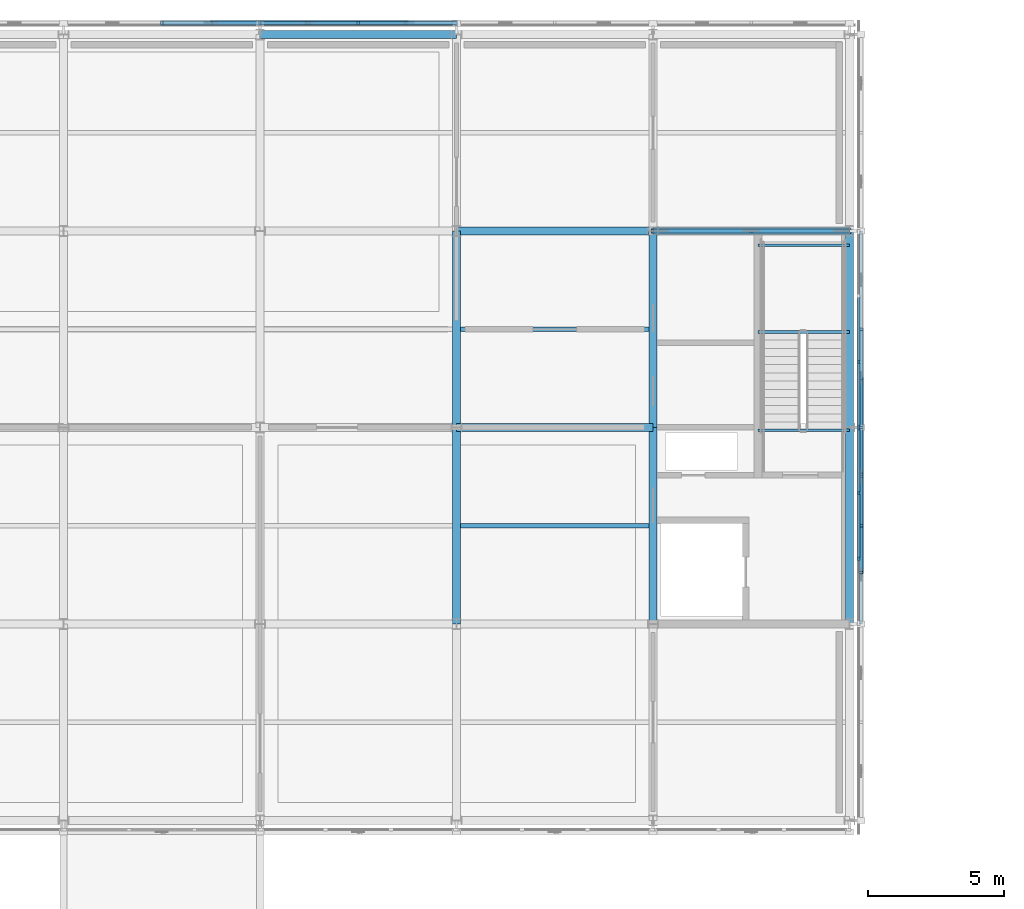
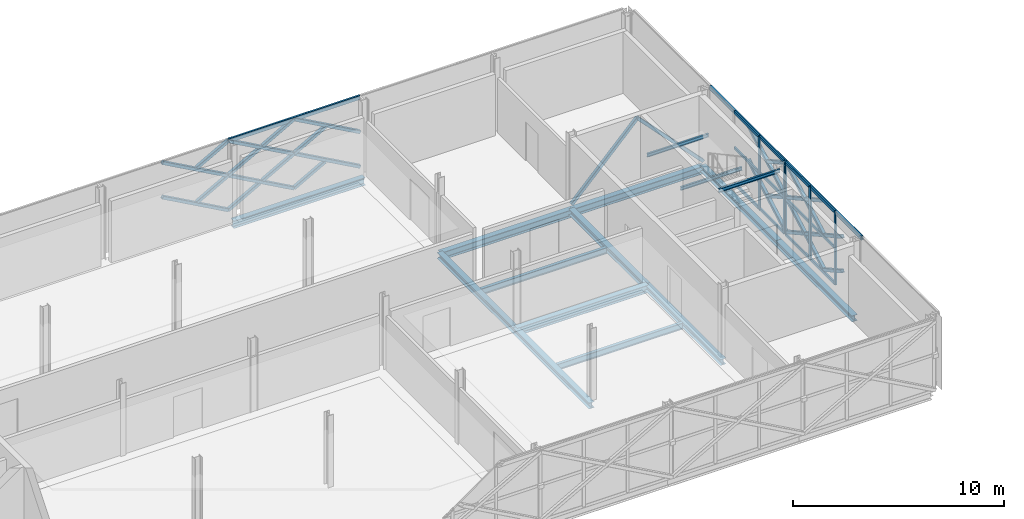
# One storey, part 54 of 126: 48 members, 15 beams, 2 elements without a shape of their own.
"""IFC4 building model written with IfcOpenShell, lengths in metres."""

from ifc_helpers import new_model, si_unit, direction, frame, origin, origin_2d, place, context, subcontext, project, spatial, rectangle, hollow_rectangle, i_section, extrude, material, material_profile, profile_set, type_object, element, aggregate, save


model = new_model("IFC4")

# Units and contexts
model_context = context("Model", 3, precision=1e-05, world=origin(), true_north=direction((0.0, 1.0)))
body_context = subcontext(model_context, "Body", "Model", "MODEL_VIEW")
ifc_project = project(units=[si_unit("LENGTHUNIT", "METRE"), si_unit("AREAUNIT", "SQUARE_METRE"), si_unit("VOLUMEUNIT", "CUBIC_METRE"), si_unit("PLANEANGLEUNIT", "RADIAN"), si_unit("MASSUNIT", "GRAM", prefix="KILO")], contexts=[model_context])

# Site, building, storey
site_placement = place(None, origin())
site = spatial("IfcSite", under=ifc_project, at=site_placement, CompositionType="ELEMENT")
building_placement = place(site_placement, origin())
building = spatial("IfcBuilding", under=site, at=building_placement, Name="Zlatovets Crest Museum", CompositionType="ELEMENT")
storey_placement = place(building_placement, frame((0.0, 0.0, 8.699951171875)))
storey = spatial("IfcBuildingStorey", under=building, at=storey_placement, Name="L02", CompositionType="ELEMENT", Elevation=8.699951171875)

# Beams
ifc_material_1 = material(Name="Structural steel S355J2", Category="steel")
ifc_material_profile_1 = material_profile(ifc_material_1, i_section(OverallWidth=0.300048828125, OverallDepth=0.35009765625, WebThickness=0.010009765625, FlangeThickness=0.017578125, FilletRadius=0.027099609375, at=origin_2d()), Name="HEA 360")
ifc_profile_set_1 = profile_set([ifc_material_profile_1], Name="Structural steel S355J2")
beam_type_1 = type_object("IfcBeamType", Name="Beam_B-03", PredefinedType="BEAM", material=ifc_profile_set_1)
for number, where, z_axis, x_axis, name in (
    (1, (93.60009765625, 93.60009765625, -0.39501953125), (0.0, 1.0, 0.0), (-1.0, 0.0, 0.0), "V1 L02 Grid Beam B-03"),
    (2, (93.60009765625, 100.800048828125, -0.39501953125), (0.0, 1.0, 0.0), (-1.0, 0.0, 0.0), "V1 L02 Grid Beam B-03"),
    (3, (100.800048828125, 93.60009765625, -0.39501953125), (0.0, 1.0, 0.0), (-1.0, 0.0, 0.0), "V1 L02 Grid Beam B-03"),
    (4, (100.800048828125, 100.800048828125, -0.39501953125), (0.0, 1.0, 0.0), (-1.0, 0.0, 0.0), "V1 L02 Grid Beam B-03"),
    (5, (108.0, 93.60009765625, -0.39501953125), (0.0, 1.0, 0.0), (-1.0, 0.0, 0.0), "V1 L02 Grid Beam B-03"),
    (6, (108.0, 100.800048828125, -0.39501953125), (0.0, 1.0, 0.0), (-1.0, 0.0, 0.0), "V1 L02 Grid Beam B-03"),
):
    element("IfcBeam", number, at=place(storey_placement, frame(where, z_axis=z_axis, x_axis=x_axis)), inside=storey, type_object=beam_type_1, Name=name, PredefinedType="BEAM", context=body_context, shape_type="SweptSolid", body=[
        extrude(i_section(OverallWidth=0.300048828125, OverallDepth=0.35009765625, WebThickness=0.010009765625, FlangeThickness=0.017578125, FilletRadius=0.027099609375, at=origin_2d()), origin(), (0.0, 0.0, 1.0), 7.199951171875),
    ])
ifc_material_profile_2 = material_profile(ifc_material_1, i_section(OverallWidth=0.300048828125, OverallDepth=0.43994140625, WebThickness=0.011474609375, FlangeThickness=0.02099609375, FilletRadius=0.027099609375, at=origin_2d()), Name="HEA 450")
ifc_profile_set_2 = profile_set([ifc_material_profile_2], Name="Structural steel S355J2")
beam_type_2 = type_object("IfcBeamType", Name="Beam_B-10", PredefinedType="BEAM", material=ifc_profile_set_2)
for number, where, z_axis, x_axis, name in (
    (7, (93.60009765625, 100.800048828125, -0.43994140625), (1.0, 0.0, 0.0), (0.0, 1.0, 0.0), "V1 L02 Primary Girder B-10"),
    (8, (93.60009765625, 108.0, -0.43994140625), (1.0, 0.0, 0.0), (0.0, 1.0, 0.0), "V1 L02 Primary Girder B-10"),
    (9, (100.800048828125, 108.0, -0.43994140625), (1.0, 0.0, 0.0), (0.0, 1.0, 0.0), "V1 L02 Primary Girder B-10"),
):
    element("IfcBeam", number, at=place(storey_placement, frame(where, z_axis=z_axis, x_axis=x_axis)), inside=storey, type_object=beam_type_2, Name=name, PredefinedType="BEAM", context=body_context, shape_type="SweptSolid", body=[
        extrude(i_section(OverallWidth=0.300048828125, OverallDepth=0.43994140625, WebThickness=0.011474609375, FlangeThickness=0.02099609375, FilletRadius=0.027099609375, at=origin_2d()), origin(), (0.0, 0.0, 1.0), 7.199951171875),
    ])
beam_placement = place(storey_placement, frame((86.39990234375, 115.199951171875, -0.43994140625), z_axis=(1.0, 0.0, 0.0), x_axis=(0.0, 1.0, 0.0)))
element("IfcBeam", 10, at=beam_placement, inside=storey, type_object=beam_type_2, Name="V1 L02 Primary Girder B-10", PredefinedType="BEAM", context=body_context, shape_type="SweptSolid", body=[
    extrude(i_section(OverallWidth=0.300048828125, OverallDepth=0.43994140625, WebThickness=0.011474609375, FlangeThickness=0.02099609375, FilletRadius=0.027099609375, at=origin_2d()), origin(), (0.0, 0.0, 1.0), 7.2001953125),
])
ifc_material_profile_3 = material_profile(ifc_material_1, i_section(OverallWidth=0.169921875, OverallDepth=0.360107421875, WebThickness=0.008056640625, FlangeThickness=0.0126953125, FilletRadius=0.01806640625, at=origin_2d()), Name="IPE 360")
ifc_profile_set_3 = profile_set([ifc_material_profile_3], Name="Structural steel S355J2")
beam_type_3 = type_object("IfcBeamType", Name="Beam_J-01", PredefinedType="JOIST", material=ifc_profile_set_3)
for number, where, z_axis, x_axis, name in (
    (11, (93.75, 97.199951171875, -0.39990234375), (1.0, 0.0, 0.0), (0.0, 1.0, 0.0), "V1 L02 Composite Joist J-01"),
    (12, (93.75, 104.39990234375, -0.39990234375), (1.0, 0.0, 0.0), (0.0, 1.0, 0.0), "V1 L02 Composite Joist J-01"),
):
    element("IfcBeam", number, at=place(storey_placement, frame(where, z_axis=z_axis, x_axis=x_axis)), inside=storey, type_object=beam_type_3, Name=name, PredefinedType="JOIST", context=body_context, shape_type="SweptSolid", body=[
        extrude(i_section(OverallWidth=0.169921875, OverallDepth=0.360107421875, WebThickness=0.008056640625, FlangeThickness=0.0126953125, FilletRadius=0.01806640625, at=origin_2d()), origin(), (0.0, 0.0, 1.0), 6.89990234375),
    ])
ifc_material_profile_4 = material_profile(ifc_material_1, i_section(OverallWidth=0.10009765625, OverallDepth=0.199951171875, WebThickness=0.005615234375, FlangeThickness=0.008544921875, FilletRadius=0.011962890625, at=origin_2d()), Name="IPE 200")
ifc_profile_set_4 = profile_set([ifc_material_profile_4], Name="Structural steel S355J2")
beam_type_4 = type_object("IfcBeamType", Name="Beam_PR-02", PredefinedType="LINTEL", material=ifc_profile_set_4)
for number, where, z_axis, x_axis, name in (
    (13, (104.64990234375, 100.699951171875, 3.860107421875), (1.0, 0.0, 0.0), (0.0, 1.0, 0.0), "Core C6 L02 Stair Well Header Beam"),
    (14, (104.64990234375, 104.300048828125, 1.800048828125), (1.0, 0.0, 0.0), (0.0, 1.0, 0.0), "Core C6 L02 Half-Landing Support Beam"),
    (15, (104.64990234375, 107.47998046875, 1.800048828125), (1.0, 0.0, 0.0), (0.0, 1.0, 0.0), "Core C6 L02 Half-Landing Support Beam"),
):
    element("IfcBeam", number, at=place(storey_placement, frame(where, z_axis=z_axis, x_axis=x_axis)), inside=storey, type_object=beam_type_4, Name=name, PredefinedType="LINTEL", context=body_context, shape_type="SweptSolid", body=[
        extrude(i_section(OverallWidth=0.10009765625, OverallDepth=0.199951171875, WebThickness=0.005615234375, FlangeThickness=0.008544921875, FilletRadius=0.011962890625, at=origin_2d()), origin(), (0.0, 0.0, 1.0), 3.35009765625),
    ])

# Curtain wall, members
ifc_material_2 = material(Name="Bronze-anodised aluminium and low-E triple glass", Category="aluminium")
curtain_wall_type_1 = type_object("IfcCurtainWallType", Name="CW_CW-V1-L02-M0", PredefinedType="NOTDEFINED", material=ifc_material_2)
curtain_wall_1_placement = place(storey_placement, origin())
curtain_wall_1 = element("IfcCurtainWall", 16, at=curtain_wall_1_placement, inside=storey, type_object=curtain_wall_type_1, Name="V1 L02 Expressed Core Glazed Facade", PredefinedType="NOTDEFINED")
ifc_material_3 = material(Name="Bronze-anodised aluminium EN AW-6060", Category="aluminium")
ifc_material_profile_5 = material_profile(ifc_material_3, rectangle(XDim=0.080078125, YDim=0.159912109375, at=origin_2d()), Name="ALU 80x160")
ifc_profile_set_5 = profile_set([ifc_material_profile_5], Name="Bronze-anodised aluminium EN AW-6060")
member_type_1 = type_object("IfcMemberType", Name="CWMull_M1", PredefinedType="MULLION", material=ifc_profile_set_5)
member_1_placement = place(storey_placement, frame((108.340087890625, 96.0, 0.0), z_axis=(0.0, 0.0, 1.0), x_axis=(-1.0, 0.0, 0.0)))
member_1 = element("IfcMember", 17, at=member_1_placement, type_object=member_type_1, Name="CW-V1-L02-M0 mullion 2", PredefinedType="MULLION", context=body_context, shape_type="SweptSolid", body=[
    extrude(rectangle(XDim=0.080078125, YDim=0.159912109375, at=origin_2d()), origin(), (0.0, 0.0, 1.0), 4.199951171875),
])
member_2_placement = place(storey_placement, frame((108.340087890625, 98.39990234375, 0.0), z_axis=(0.0, 0.0, 1.0), x_axis=(-1.0, 0.0, 0.0)))
member_2 = element("IfcMember", 18, at=member_2_placement, type_object=member_type_1, Name="CW-V1-L02-M0 mullion 3", PredefinedType="MULLION", context=body_context, shape_type="SweptSolid", body=[
    extrude(rectangle(XDim=0.080078125, YDim=0.159912109375, at=origin_2d()), origin(), (0.0, 0.0, 1.0), 4.199951171875),
])
member_3_placement = place(storey_placement, frame((108.340087890625, 100.77001953125, 0.0), z_axis=(0.0, 0.0, 1.0), x_axis=(-1.0, 0.0, 0.0)))
member_3 = element("IfcMember", 19, at=member_3_placement, type_object=member_type_1, Name="CW-V1-L02-M0 mullion 4", PredefinedType="MULLION", context=body_context, shape_type="SweptSolid", body=[
    extrude(rectangle(XDim=0.080078125, YDim=0.159912109375, at=origin_2d()), origin(), (0.0, 0.0, 1.0), 4.199951171875),
])

curtain_wall_type_2 = type_object("IfcCurtainWallType", Name="CW_CW-V1-L02-M1", PredefinedType="NOTDEFINED", material=ifc_material_2)
curtain_wall_2_placement = place(storey_placement, origin())
curtain_wall_2 = element("IfcCurtainWall", 20, at=curtain_wall_2_placement, inside=storey, type_object=curtain_wall_type_2, Name="V1 L02 Expressed Core Glazed Facade", PredefinedType="NOTDEFINED")
member_4_placement = place(storey_placement, frame((108.340087890625, 100.830078125, 0.0), z_axis=(0.0, 0.0, 1.0), x_axis=(-1.0, 0.0, 0.0)))
member_4 = element("IfcMember", 21, at=member_4_placement, type_object=member_type_1, Name="CW-V1-L02-M1 mullion 1", PredefinedType="MULLION", context=body_context, shape_type="SweptSolid", body=[
    extrude(rectangle(XDim=0.080078125, YDim=0.159912109375, at=origin_2d()), origin(), (0.0, 0.0, 1.0), 4.199951171875),
])
member_5_placement = place(storey_placement, frame((108.340087890625, 103.199951171875, 0.0), z_axis=(0.0, 0.0, 1.0), x_axis=(-1.0, 0.0, 0.0)))
member_5 = element("IfcMember", 22, at=member_5_placement, type_object=member_type_1, Name="CW-V1-L02-M1 mullion 2", PredefinedType="MULLION", context=body_context, shape_type="SweptSolid", body=[
    extrude(rectangle(XDim=0.080078125, YDim=0.159912109375, at=origin_2d()), origin(), (0.0, 0.0, 1.0), 4.199951171875),
])

# Member
ifc_material_profile_6 = material_profile(ifc_material_3, rectangle(XDim=0.080078125, YDim=0.159912109375, at=origin_2d()), Name="ALU 80x160")
ifc_profile_set_6 = profile_set([ifc_material_profile_6], Name="Bronze-anodised aluminium EN AW-6060")
member_type_2 = type_object("IfcMemberType", Name="CWTrans_T1", PredefinedType="USERDEFINED", material=ifc_profile_set_6)
member_6_placement = place(storey_placement, frame((108.340087890625, 96.030029296875, 0.030029296875), z_axis=(0.0, 1.0, 0.0), x_axis=(-1.0, 0.0, 0.0)))
member_6 = element("IfcMember", 23, at=member_6_placement, type_object=member_type_2, Name="CW-V1-L02-M0 transom 2.1", ObjectType="TRANSOM", PredefinedType="USERDEFINED", context=body_context, shape_type="SweptSolid", body=[
    extrude(rectangle(XDim=0.080078125, YDim=0.159912109375, at=origin_2d()), origin(), (0.0, 0.0, 1.0), 2.340087890625),
])

member_7_placement = place(storey_placement, frame((108.340087890625, 96.030029296875, 2.10009765625), z_axis=(0.0, 1.0, 0.0), x_axis=(-1.0, 0.0, 0.0)))
member_7 = element("IfcMember", 24, at=member_7_placement, type_object=member_type_2, Name="CW-V1-L02-M0 transom 2.2", ObjectType="TRANSOM", PredefinedType="USERDEFINED", context=body_context, shape_type="SweptSolid", body=[
    extrude(rectangle(XDim=0.080078125, YDim=0.159912109375, at=origin_2d()), origin(), (0.0, 0.0, 1.0), 2.340087890625),
])

member_8_placement = place(storey_placement, frame((108.340087890625, 96.030029296875, 4.170166015625), z_axis=(0.0, 1.0, 0.0), x_axis=(-1.0, 0.0, 0.0)))
member_8 = element("IfcMember", 25, at=member_8_placement, type_object=member_type_2, Name="CW-V1-L02-M0 transom 2.3", ObjectType="TRANSOM", PredefinedType="USERDEFINED", context=body_context, shape_type="SweptSolid", body=[
    extrude(rectangle(XDim=0.080078125, YDim=0.159912109375, at=origin_2d()), origin(), (0.0, 0.0, 1.0), 2.340087890625),
])

member_9_placement = place(storey_placement, frame((108.340087890625, 98.429931640625, 0.030029296875), z_axis=(0.0, 1.0, 0.0), x_axis=(-1.0, 0.0, 0.0)))
member_9 = element("IfcMember", 26, at=member_9_placement, type_object=member_type_2, Name="CW-V1-L02-M0 transom 3.1", ObjectType="TRANSOM", PredefinedType="USERDEFINED", context=body_context, shape_type="SweptSolid", body=[
    extrude(rectangle(XDim=0.080078125, YDim=0.159912109375, at=origin_2d()), origin(), (0.0, 0.0, 1.0), 2.31005859375),
])

member_10_placement = place(storey_placement, frame((108.340087890625, 98.429931640625, 2.10009765625), z_axis=(0.0, 1.0, 0.0), x_axis=(-1.0, 0.0, 0.0)))
member_10 = element("IfcMember", 27, at=member_10_placement, type_object=member_type_2, Name="CW-V1-L02-M0 transom 3.2", ObjectType="TRANSOM", PredefinedType="USERDEFINED", context=body_context, shape_type="SweptSolid", body=[
    extrude(rectangle(XDim=0.080078125, YDim=0.159912109375, at=origin_2d()), origin(), (0.0, 0.0, 1.0), 2.31005859375),
])

member_11_placement = place(storey_placement, frame((108.340087890625, 98.429931640625, 4.170166015625), z_axis=(0.0, 1.0, 0.0), x_axis=(-1.0, 0.0, 0.0)))
member_11 = element("IfcMember", 28, at=member_11_placement, type_object=member_type_2, Name="CW-V1-L02-M0 transom 3.3", ObjectType="TRANSOM", PredefinedType="USERDEFINED", context=body_context, shape_type="SweptSolid", body=[
    extrude(rectangle(XDim=0.080078125, YDim=0.159912109375, at=origin_2d()), origin(), (0.0, 0.0, 1.0), 2.31005859375),
])

aggregate(curtain_wall_1, [member_1, member_2, member_3, member_6, member_7, member_8, member_9, member_10, member_11])

member_12_placement = place(storey_placement, frame((108.340087890625, 100.860107421875, 0.030029296875), z_axis=(0.0, 1.0, 0.0), x_axis=(-1.0, 0.0, 0.0)))
member_12 = element("IfcMember", 29, at=member_12_placement, type_object=member_type_2, Name="CW-V1-L02-M1 transom 1.1", ObjectType="TRANSOM", PredefinedType="USERDEFINED", context=body_context, shape_type="SweptSolid", body=[
    extrude(rectangle(XDim=0.080078125, YDim=0.159912109375, at=origin_2d()), origin(), (0.0, 0.0, 1.0), 2.309814453125),
])

member_13_placement = place(storey_placement, frame((108.340087890625, 100.860107421875, 2.10009765625), z_axis=(0.0, 1.0, 0.0), x_axis=(-1.0, 0.0, 0.0)))
member_13 = element("IfcMember", 30, at=member_13_placement, type_object=member_type_2, Name="CW-V1-L02-M1 transom 1.2", ObjectType="TRANSOM", PredefinedType="USERDEFINED", context=body_context, shape_type="SweptSolid", body=[
    extrude(rectangle(XDim=0.080078125, YDim=0.159912109375, at=origin_2d()), origin(), (0.0, 0.0, 1.0), 2.309814453125),
])

member_14_placement = place(storey_placement, frame((108.340087890625, 100.860107421875, 4.170166015625), z_axis=(0.0, 1.0, 0.0), x_axis=(-1.0, 0.0, 0.0)))
member_14 = element("IfcMember", 31, at=member_14_placement, type_object=member_type_2, Name="CW-V1-L02-M1 transom 1.3", ObjectType="TRANSOM", PredefinedType="USERDEFINED", context=body_context, shape_type="SweptSolid", body=[
    extrude(rectangle(XDim=0.080078125, YDim=0.159912109375, at=origin_2d()), origin(), (0.0, 0.0, 1.0), 2.309814453125),
])

member_15_placement = place(storey_placement, frame((108.340087890625, 103.22998046875, 0.030029296875), z_axis=(0.0, 1.0, 0.0), x_axis=(-1.0, 0.0, 0.0)))
member_15 = element("IfcMember", 32, at=member_15_placement, type_object=member_type_2, Name="CW-V1-L02-M1 transom 2.1", ObjectType="TRANSOM", PredefinedType="USERDEFINED", context=body_context, shape_type="SweptSolid", body=[
    extrude(rectangle(XDim=0.080078125, YDim=0.159912109375, at=origin_2d()), origin(), (0.0, 0.0, 1.0), 2.340087890625),
])

member_16_placement = place(storey_placement, frame((108.340087890625, 103.22998046875, 2.10009765625), z_axis=(0.0, 1.0, 0.0), x_axis=(-1.0, 0.0, 0.0)))
member_16 = element("IfcMember", 33, at=member_16_placement, type_object=member_type_2, Name="CW-V1-L02-M1 transom 2.2", ObjectType="TRANSOM", PredefinedType="USERDEFINED", context=body_context, shape_type="SweptSolid", body=[
    extrude(rectangle(XDim=0.080078125, YDim=0.159912109375, at=origin_2d()), origin(), (0.0, 0.0, 1.0), 2.340087890625),
])

member_17_placement = place(storey_placement, frame((108.340087890625, 103.22998046875, 4.170166015625), z_axis=(0.0, 1.0, 0.0), x_axis=(-1.0, 0.0, 0.0)))
member_17 = element("IfcMember", 34, at=member_17_placement, type_object=member_type_2, Name="CW-V1-L02-M1 transom 2.3", ObjectType="TRANSOM", PredefinedType="USERDEFINED", context=body_context, shape_type="SweptSolid", body=[
    extrude(rectangle(XDim=0.080078125, YDim=0.159912109375, at=origin_2d()), origin(), (0.0, 0.0, 1.0), 2.340087890625),
])

aggregate(curtain_wall_2, [member_4, member_5, member_12, member_13, member_14, member_15, member_16, member_17])

# Members
ifc_material_4 = material(Name="Weathering bronze-steel S355J2W", Category="steel")
ifc_material_profile_7 = material_profile(ifc_material_4, hollow_rectangle(XDim=0.179931640625, YDim=0.179931640625, WallThickness=0.010009765625, InnerFilletRadius=0.010009765625, OuterFilletRadius=0.02001953125, at=origin_2d()), Name="SHS 180x180x10.0")
ifc_profile_set_7 = profile_set([ifc_material_profile_7], Name="Weathering bronze-steel S355J2W")
member_type_3 = type_object("IfcMemberType", Name="Lattice_XL-01", PredefinedType="BRACE", material=ifc_profile_set_7)
member_18_placement = place(storey_placement, frame((108.419921875, 95.48291015625, 1.053955078125), z_axis=(0.0, 0.874169001841, -0.485621824284), x_axis=(-1.0, 0.0, 0.0)))
element("IfcMember", 35, at=member_18_placement, inside=storey, type_object=member_type_3, Name="Split Crossing Bronze Lattice Diagonal Lower", PredefinedType="BRACE", context=body_context, shape_type="SweptSolid", body=[
    extrude(hollow_rectangle(XDim=0.179931640625, YDim=0.179931640625, WallThickness=0.010009765625, InnerFilletRadius=0.010009765625, OuterFilletRadius=0.02001953125, at=origin_2d()), origin(), (0.0, 0.0, 1.0), 1.964111328125),
])
member_19_placement = place(storey_placement, frame((108.419921875, 97.199951171875, 0.10009765625), z_axis=(0.0, 0.874162868644, 0.485632864501), x_axis=(-1.0, 0.0, 0.0)))
element("IfcMember", 36, at=member_19_placement, inside=storey, type_object=member_type_3, Name="Continuous Bronze Lattice Diagonal", PredefinedType="BRACE", context=body_context, shape_type="SweptSolid", body=[
    extrude(hollow_rectangle(XDim=0.179931640625, YDim=0.179931640625, WallThickness=0.010009765625, InnerFilletRadius=0.010009765625, OuterFilletRadius=0.02001953125, at=origin_2d()), origin(), (0.0, 0.0, 1.0), 4.118408203125),
])
for number, where, z_axis, x_axis, name in (
    (37, (108.419921875, 97.199951171875, 2.10009765625), (0.0, 0.874169001841, -0.485621824284), (-1.0, 0.0, 0.0), "Split Crossing Bronze Lattice Diagonal Upper"),
    (38, (108.419921875, 99.0830078125, 1.053955078125), (0.0, 0.874169001841, -0.485621824284), (-1.0, 0.0, 0.0), "Split Crossing Bronze Lattice Diagonal Lower"),
    (39, (108.419921875, 95.48291015625, 3.053955078125), (0.0, 0.874169001841, -0.485621824284), (-1.0, 0.0, 0.0), "Split Crossing Bronze Lattice Diagonal Lower"),
):
    element("IfcMember", number, at=place(storey_placement, frame(where, z_axis=z_axis, x_axis=x_axis)), inside=storey, type_object=member_type_3, Name=name, PredefinedType="BRACE", context=body_context, shape_type="SweptSolid", body=[
        extrude(hollow_rectangle(XDim=0.179931640625, YDim=0.179931640625, WallThickness=0.010009765625, InnerFilletRadius=0.010009765625, OuterFilletRadius=0.02001953125, at=origin_2d()), origin(), (0.0, 0.0, 1.0), 1.964111328125),
    ])
member_20_placement = place(storey_placement, frame((108.419921875, 97.199951171875, 2.10009765625), z_axis=(0.0, 0.874162868644, 0.485632864501), x_axis=(-1.0, 0.0, 0.0)))
element("IfcMember", 40, at=member_20_placement, inside=storey, type_object=member_type_3, Name="Continuous Bronze Lattice Diagonal", PredefinedType="BRACE", context=body_context, shape_type="SweptSolid", body=[
    extrude(hollow_rectangle(XDim=0.179931640625, YDim=0.179931640625, WallThickness=0.010009765625, InnerFilletRadius=0.010009765625, OuterFilletRadius=0.02001953125, at=origin_2d()), origin(), (0.0, 0.0, 1.0), 4.118408203125),
])
for number, where, z_axis, x_axis, name in (
    (41, (108.419921875, 97.199951171875, 4.10009765625), (0.0, 0.874169001841, -0.485621824284), (-1.0, 0.0, 0.0), "Split Crossing Bronze Lattice Diagonal Upper"),
    (42, (108.419921875, 99.0830078125, 3.053955078125), (0.0, 0.874169001841, -0.485621824284), (-1.0, 0.0, 0.0), "Split Crossing Bronze Lattice Diagonal Lower"),
):
    element("IfcMember", number, at=place(storey_placement, frame(where, z_axis=z_axis, x_axis=x_axis)), inside=storey, type_object=member_type_3, Name=name, PredefinedType="BRACE", context=body_context, shape_type="SweptSolid", body=[
        extrude(hollow_rectangle(XDim=0.179931640625, YDim=0.179931640625, WallThickness=0.010009765625, InnerFilletRadius=0.010009765625, OuterFilletRadius=0.02001953125, at=origin_2d()), origin(), (0.0, 0.0, 1.0), 1.964111328125),
    ])
member_21_placement = place(storey_placement, frame((108.419921875, 100.800048828125, 0.10009765625), z_axis=(0.0, 0.874148886685, 0.485658031857), x_axis=(-1.0, 0.0, 0.0)))
element("IfcMember", 43, at=member_21_placement, inside=storey, type_object=member_type_3, Name="Continuous Bronze Lattice Diagonal", PredefinedType="BRACE", context=body_context, shape_type="SweptSolid", body=[
    extrude(hollow_rectangle(XDim=0.179931640625, YDim=0.179931640625, WallThickness=0.010009765625, InnerFilletRadius=0.010009765625, OuterFilletRadius=0.02001953125, at=origin_2d()), origin(), (0.0, 0.0, 1.0), 4.1181640625),
])
member_22_placement = place(storey_placement, frame((108.419921875, 100.800048828125, 2.10009765625), z_axis=(0.0, 0.874169001841, -0.485621824284), x_axis=(-1.0, 0.0, 0.0)))
element("IfcMember", 44, at=member_22_placement, inside=storey, type_object=member_type_3, Name="Split Crossing Bronze Lattice Diagonal Upper", PredefinedType="BRACE", context=body_context, shape_type="SweptSolid", body=[
    extrude(hollow_rectangle(XDim=0.179931640625, YDim=0.179931640625, WallThickness=0.010009765625, InnerFilletRadius=0.010009765625, OuterFilletRadius=0.02001953125, at=origin_2d()), origin(), (0.0, 0.0, 1.0), 1.964111328125),
])
member_23_placement = place(storey_placement, frame((108.419921875, 100.800048828125, 2.10009765625), z_axis=(0.0, 0.874148886685, 0.485658031857), x_axis=(-1.0, 0.0, 0.0)))
element("IfcMember", 45, at=member_23_placement, inside=storey, type_object=member_type_3, Name="Continuous Bronze Lattice Diagonal", PredefinedType="BRACE", context=body_context, shape_type="SweptSolid", body=[
    extrude(hollow_rectangle(XDim=0.179931640625, YDim=0.179931640625, WallThickness=0.010009765625, InnerFilletRadius=0.010009765625, OuterFilletRadius=0.02001953125, at=origin_2d()), origin(), (0.0, 0.0, 1.0), 4.1181640625),
])
member_24_placement = place(storey_placement, frame((108.419921875, 100.800048828125, 4.10009765625), z_axis=(0.0, 0.874169001841, -0.485621824284), x_axis=(-1.0, 0.0, 0.0)))
element("IfcMember", 46, at=member_24_placement, inside=storey, type_object=member_type_3, Name="Split Crossing Bronze Lattice Diagonal Upper", PredefinedType="BRACE", context=body_context, shape_type="SweptSolid", body=[
    extrude(hollow_rectangle(XDim=0.179931640625, YDim=0.179931640625, WallThickness=0.010009765625, InnerFilletRadius=0.010009765625, OuterFilletRadius=0.02001953125, at=origin_2d()), origin(), (0.0, 0.0, 1.0), 1.964111328125),
])
member_25_placement = place(storey_placement, frame((93.60009765625, 115.6201171875, 0.10009765625), z_axis=(-0.874162868644, 0.0, 0.485632864501), x_axis=(0.0, -1.0, 0.0)))
element("IfcMember", 47, at=member_25_placement, inside=storey, type_object=member_type_3, Name="Continuous Bronze Lattice Diagonal", PredefinedType="BRACE", context=body_context, shape_type="SweptSolid", body=[
    extrude(hollow_rectangle(XDim=0.179931640625, YDim=0.179931640625, WallThickness=0.010009765625, InnerFilletRadius=0.010009765625, OuterFilletRadius=0.02001953125, at=origin_2d()), origin(), (0.0, 0.0, 1.0), 4.118408203125),
])
member_26_placement = place(storey_placement, frame((91.717041015625, 115.6201171875, 1.053955078125), z_axis=(-0.874169001841, 0.0, -0.485621824284), x_axis=(0.0, -1.0, 0.0)))
element("IfcMember", 48, at=member_26_placement, inside=storey, type_object=member_type_3, Name="Split Crossing Bronze Lattice Diagonal Lower", PredefinedType="BRACE", context=body_context, shape_type="SweptSolid", body=[
    extrude(hollow_rectangle(XDim=0.179931640625, YDim=0.179931640625, WallThickness=0.010009765625, InnerFilletRadius=0.010009765625, OuterFilletRadius=0.02001953125, at=origin_2d()), origin(), (0.0, 0.0, 1.0), 1.964111328125),
])
member_27_placement = place(storey_placement, frame((90.0, 115.6201171875, 0.10009765625), z_axis=(-0.874162868644, 0.0, 0.485632864501), x_axis=(0.0, -1.0, 0.0)))
element("IfcMember", 49, at=member_27_placement, inside=storey, type_object=member_type_3, Name="Continuous Bronze Lattice Diagonal", PredefinedType="BRACE", context=body_context, shape_type="SweptSolid", body=[
    extrude(hollow_rectangle(XDim=0.179931640625, YDim=0.179931640625, WallThickness=0.010009765625, InnerFilletRadius=0.010009765625, OuterFilletRadius=0.02001953125, at=origin_2d()), origin(), (0.0, 0.0, 1.0), 4.118408203125),
])
for number, where, z_axis, x_axis, name in (
    (50, (90.0, 115.6201171875, 2.10009765625), (-0.874169001841, 0.0, -0.485621824284), (0.0, -1.0, 0.0), "Split Crossing Bronze Lattice Diagonal Upper"),
    (51, (88.116943359375, 115.6201171875, 1.053955078125), (-0.874169001841, 0.0, -0.485621824284), (0.0, -1.0, 0.0), "Split Crossing Bronze Lattice Diagonal Lower"),
):
    element("IfcMember", number, at=place(storey_placement, frame(where, z_axis=z_axis, x_axis=x_axis)), inside=storey, type_object=member_type_3, Name=name, PredefinedType="BRACE", context=body_context, shape_type="SweptSolid", body=[
        extrude(hollow_rectangle(XDim=0.179931640625, YDim=0.179931640625, WallThickness=0.010009765625, InnerFilletRadius=0.010009765625, OuterFilletRadius=0.02001953125, at=origin_2d()), origin(), (0.0, 0.0, 1.0), 1.964111328125),
    ])
member_28_placement = place(storey_placement, frame((93.60009765625, 115.6201171875, 2.10009765625), z_axis=(-0.874162868644, 0.0, 0.485632864501), x_axis=(0.0, -1.0, 0.0)))
element("IfcMember", 52, at=member_28_placement, inside=storey, type_object=member_type_3, Name="Continuous Bronze Lattice Diagonal", PredefinedType="BRACE", context=body_context, shape_type="SweptSolid", body=[
    extrude(hollow_rectangle(XDim=0.179931640625, YDim=0.179931640625, WallThickness=0.010009765625, InnerFilletRadius=0.010009765625, OuterFilletRadius=0.02001953125, at=origin_2d()), origin(), (0.0, 0.0, 1.0), 4.118408203125),
])
member_29_placement = place(storey_placement, frame((91.717041015625, 115.6201171875, 3.053955078125), z_axis=(-0.874169001841, 0.0, -0.485621824284), x_axis=(0.0, -1.0, 0.0)))
element("IfcMember", 53, at=member_29_placement, inside=storey, type_object=member_type_3, Name="Split Crossing Bronze Lattice Diagonal Lower", PredefinedType="BRACE", context=body_context, shape_type="SweptSolid", body=[
    extrude(hollow_rectangle(XDim=0.179931640625, YDim=0.179931640625, WallThickness=0.010009765625, InnerFilletRadius=0.010009765625, OuterFilletRadius=0.02001953125, at=origin_2d()), origin(), (0.0, 0.0, 1.0), 1.964111328125),
])
member_30_placement = place(storey_placement, frame((90.0, 115.6201171875, 2.10009765625), z_axis=(-0.874162868644, 0.0, 0.485632864501), x_axis=(0.0, -1.0, 0.0)))
element("IfcMember", 54, at=member_30_placement, inside=storey, type_object=member_type_3, Name="Continuous Bronze Lattice Diagonal", PredefinedType="BRACE", context=body_context, shape_type="SweptSolid", body=[
    extrude(hollow_rectangle(XDim=0.179931640625, YDim=0.179931640625, WallThickness=0.010009765625, InnerFilletRadius=0.010009765625, OuterFilletRadius=0.02001953125, at=origin_2d()), origin(), (0.0, 0.0, 1.0), 4.118408203125),
])
for number, where, z_axis, x_axis, name in (
    (55, (90.0, 115.6201171875, 4.10009765625), (-0.874169001841, 0.0, -0.485621824284), (0.0, -1.0, 0.0), "Split Crossing Bronze Lattice Diagonal Upper"),
    (56, (88.116943359375, 115.6201171875, 3.053955078125), (-0.874169001841, 0.0, -0.485621824284), (0.0, -1.0, 0.0), "Split Crossing Bronze Lattice Diagonal Lower"),
):
    element("IfcMember", number, at=place(storey_placement, frame(where, z_axis=z_axis, x_axis=x_axis)), inside=storey, type_object=member_type_3, Name=name, PredefinedType="BRACE", context=body_context, shape_type="SweptSolid", body=[
        extrude(hollow_rectangle(XDim=0.179931640625, YDim=0.179931640625, WallThickness=0.010009765625, InnerFilletRadius=0.010009765625, OuterFilletRadius=0.02001953125, at=origin_2d()), origin(), (0.0, 0.0, 1.0), 1.964111328125),
    ])
member_31_placement = place(storey_placement, frame((86.39990234375, 115.6201171875, 0.10009765625), z_axis=(-0.874148886685, 0.0, 0.485658031857), x_axis=(0.0, -1.0, 0.0)))
element("IfcMember", 57, at=member_31_placement, inside=storey, type_object=member_type_3, Name="Continuous Bronze Lattice Diagonal", PredefinedType="BRACE", context=body_context, shape_type="SweptSolid", body=[
    extrude(hollow_rectangle(XDim=0.179931640625, YDim=0.179931640625, WallThickness=0.010009765625, InnerFilletRadius=0.010009765625, OuterFilletRadius=0.02001953125, at=origin_2d()), origin(), (0.0, 0.0, 1.0), 4.1181640625),
])
member_32_placement = place(storey_placement, frame((86.39990234375, 115.6201171875, 2.10009765625), z_axis=(-0.874139684676, 0.0, -0.48567459443), x_axis=(0.0, -1.0, 0.0)))
element("IfcMember", 58, at=member_32_placement, inside=storey, type_object=member_type_3, Name="Split Crossing Bronze Lattice Diagonal Upper", PredefinedType="BRACE", context=body_context, shape_type="SweptSolid", body=[
    extrude(hollow_rectangle(XDim=0.179931640625, YDim=0.179931640625, WallThickness=0.010009765625, InnerFilletRadius=0.010009765625, OuterFilletRadius=0.02001953125, at=origin_2d()), origin(), (0.0, 0.0, 1.0), 1.9638671875),
])
member_33_placement = place(storey_placement, frame((86.39990234375, 115.6201171875, 2.10009765625), z_axis=(-0.874148886685, 0.0, 0.485658031857), x_axis=(0.0, -1.0, 0.0)))
element("IfcMember", 59, at=member_33_placement, inside=storey, type_object=member_type_3, Name="Continuous Bronze Lattice Diagonal", PredefinedType="BRACE", context=body_context, shape_type="SweptSolid", body=[
    extrude(hollow_rectangle(XDim=0.179931640625, YDim=0.179931640625, WallThickness=0.010009765625, InnerFilletRadius=0.010009765625, OuterFilletRadius=0.02001953125, at=origin_2d()), origin(), (0.0, 0.0, 1.0), 4.1181640625),
])
member_34_placement = place(storey_placement, frame((86.39990234375, 115.6201171875, 4.10009765625), z_axis=(-0.874139684676, 0.0, -0.48567459443), x_axis=(0.0, -1.0, 0.0)))
element("IfcMember", 60, at=member_34_placement, inside=storey, type_object=member_type_3, Name="Split Crossing Bronze Lattice Diagonal Upper", PredefinedType="BRACE", context=body_context, shape_type="SweptSolid", body=[
    extrude(hollow_rectangle(XDim=0.179931640625, YDim=0.179931640625, WallThickness=0.010009765625, InnerFilletRadius=0.010009765625, OuterFilletRadius=0.02001953125, at=origin_2d()), origin(), (0.0, 0.0, 1.0), 1.9638671875),
])
ifc_material_profile_8 = material_profile(ifc_material_4, hollow_rectangle(XDim=0.1201171875, YDim=0.239990234375, WallThickness=0.010009765625, InnerFilletRadius=0.010009765625, OuterFilletRadius=0.02001953125, at=origin_2d()), Name="RHS 120x240x10.0")
ifc_profile_set_8 = profile_set([ifc_material_profile_8], Name="Weathering bronze-steel S355J2W")
member_type_4 = type_object("IfcMemberType", Name="Lattice_XL-04", PredefinedType="CHORD", material=ifc_profile_set_8)
for number, where, z_axis, x_axis, name in (
    (61, (108.419921875, 93.60009765625, 4.10009765625), (0.0, 1.0, 0.0), (-1.0, 0.0, 0.0), "Art Nouveau Woven Cage Collector Ring Chord"),
    (62, (108.419921875, 100.800048828125, 4.10009765625), (0.0, 1.0, 0.0), (-1.0, 0.0, 0.0), "Art Nouveau Woven Cage Collector Ring Chord"),
):
    element("IfcMember", number, at=place(storey_placement, frame(where, z_axis=z_axis, x_axis=x_axis)), inside=storey, type_object=member_type_4, Name=name, PredefinedType="CHORD", context=body_context, shape_type="SweptSolid", body=[
        extrude(hollow_rectangle(XDim=0.1201171875, YDim=0.239990234375, WallThickness=0.010009765625, InnerFilletRadius=0.010009765625, OuterFilletRadius=0.02001953125, at=origin_2d()), origin(), (0.0, 0.0, 1.0), 7.199951171875),
    ])
member_35_placement = place(storey_placement, frame((93.60009765625, 115.6201171875, 4.10009765625), z_axis=(-1.0, 0.0, 0.0), x_axis=(0.0, -1.0, 0.0)))
element("IfcMember", 63, at=member_35_placement, inside=storey, type_object=member_type_4, Name="Art Nouveau Woven Cage Collector Ring Chord", PredefinedType="CHORD", context=body_context, shape_type="SweptSolid", body=[
    extrude(hollow_rectangle(XDim=0.1201171875, YDim=0.239990234375, WallThickness=0.010009765625, InnerFilletRadius=0.010009765625, OuterFilletRadius=0.02001953125, at=origin_2d()), origin(), (0.0, 0.0, 1.0), 7.2001953125),
])
ifc_material_profile_9 = material_profile(ifc_material_1, hollow_rectangle(XDim=0.179931640625, YDim=0.179931640625, WallThickness=0.010009765625, InnerFilletRadius=0.010009765625, OuterFilletRadius=0.02001953125, at=origin_2d()), Name="SHS 180x180x10.0")
ifc_profile_set_9 = profile_set([ifc_material_profile_9], Name="Structural steel S355J2")
member_type_5 = type_object("IfcMemberType", Name="Member_BR-02", PredefinedType="BRACE", material=ifc_profile_set_9)
member_36_placement = place(storey_placement, frame((100.800048828125, 108.0, 0.0), z_axis=(0.692517163318, 0.0, 0.721401399021), x_axis=(0.0, 1.0, 0.0)))
element("IfcMember", 64, at=member_36_placement, inside=storey, type_object=member_type_5, Name="V1 L02 Concentric Seismic Brace", PredefinedType="BRACE", context=body_context, shape_type="SweptSolid", body=[
    extrude(hollow_rectangle(XDim=0.179931640625, YDim=0.179931640625, WallThickness=0.010009765625, InnerFilletRadius=0.010009765625, OuterFilletRadius=0.02001953125, at=origin_2d()), origin(), (0.0, 0.0, 1.0), 5.1982421875),
])
member_37_placement = place(storey_placement, frame((108.0, 108.0, 0.0), z_axis=(-0.692541604294, 0.0, 0.721377935844), x_axis=(0.0, -1.0, 0.0)))
element("IfcMember", 65, at=member_37_placement, inside=storey, type_object=member_type_5, Name="V1 L02 Concentric Seismic Brace", PredefinedType="BRACE", context=body_context, shape_type="SweptSolid", body=[
    extrude(hollow_rectangle(XDim=0.179931640625, YDim=0.179931640625, WallThickness=0.010009765625, InnerFilletRadius=0.010009765625, OuterFilletRadius=0.02001953125, at=origin_2d()), origin(), (0.0, 0.0, 1.0), 5.198486328125),
])

save(model, "model.ifc")
